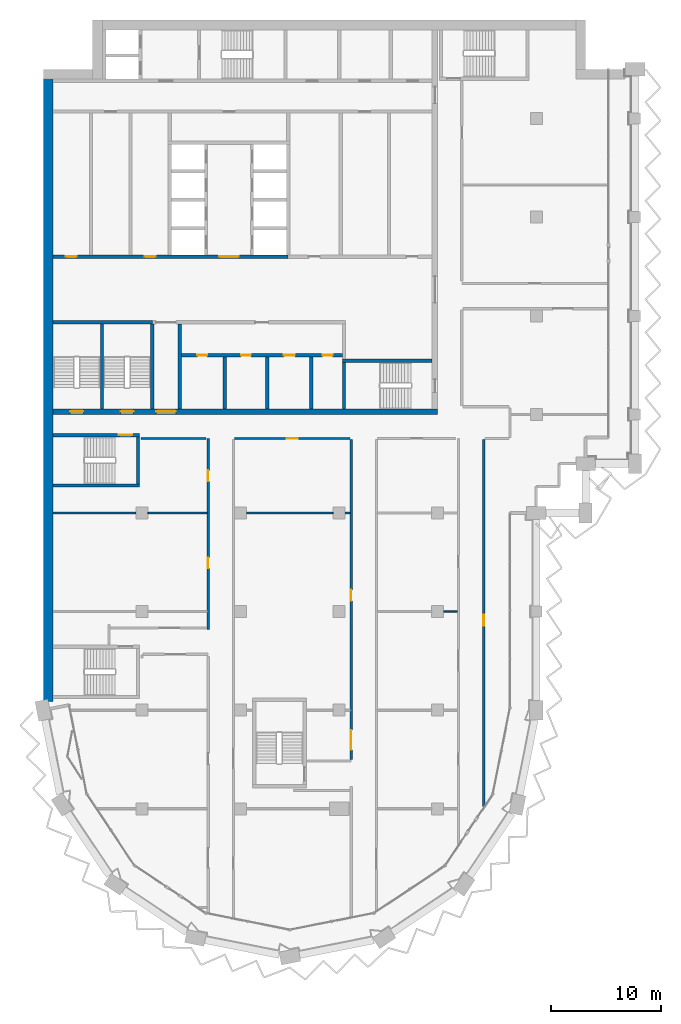
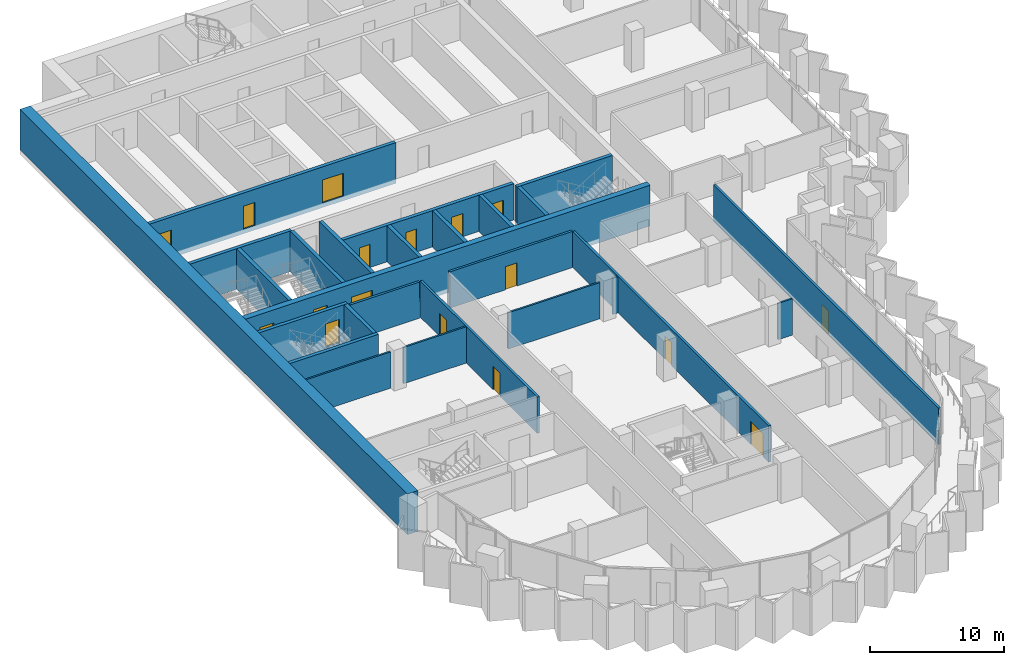
# One storey, part 10 of 19: 26 walls, 17 doors, 17 openings.
"""IFC4 building model written with IfcOpenShell, lengths in metres."""

from ifc_helpers import new_model, si_unit, direction, frame, frame_2d, origin, place, context, subcontext, project, spatial, rectangle, extrude, material, layer, layer_set, type_object, element, fill, save


model = new_model("IFC4")

# Units and contexts
model_context = context("Model", 3, precision=1e-05, world=origin(), true_north=direction((0.0, 1.0)))
body_context = subcontext(model_context, "Body", "Model", "MODEL_VIEW")
ifc_project = project(units=[si_unit("LENGTHUNIT", "METRE"), si_unit("AREAUNIT", "SQUARE_METRE"), si_unit("VOLUMEUNIT", "CUBIC_METRE"), si_unit("PLANEANGLEUNIT", "RADIAN"), si_unit("MASSUNIT", "GRAM", prefix="KILO")], contexts=[model_context])

# Site, building, storey
site_placement = place(None, origin())
site = spatial("IfcSite", under=ifc_project, at=site_placement, CompositionType="ELEMENT")
building_placement = place(site_placement, origin())
building = spatial("IfcBuilding", under=site, at=building_placement, Name="Hunhe Ridgeline Campus", CompositionType="ELEMENT")
storey_placement = place(building_placement, frame((0.0, 0.0, 219.800048828125)))
storey = spatial("IfcBuildingStorey", under=building, at=storey_placement, Name="L56", CompositionType="ELEMENT", Elevation=219.800048828125)

# Wall, openings, doors
ifc_material_1 = material(Name="Masonry concrete blockwork", Category="masonry")
ifc_layer_1 = layer(ifc_material_1, 0.300048828125)
ifc_layer_set_1 = layer_set([ifc_layer_1], Name="Core room partition 300 concrete block")
wall_type_1 = type_object("IfcWallType", Name="Core room partition 300 concrete block", PredefinedType="PARTITIONING", material=ifc_layer_set_1)
wall_1_placement = place(storey_placement, frame((12.60009765625, 68.39990234375, 0.0), z_axis=(0.0, 0.0, 1.0), x_axis=(1.0, 0.0, 0.0)))
wall_1 = element("IfcWall", 1, at=wall_1_placement, inside=storey, type_object=wall_type_1, Name="L56 core partition 9", PredefinedType="PARTITIONING", context=body_context, shape_type="SweptSolid", body=[
    extrude(rectangle(XDim=14.699951171875, YDim=0.300048828125, at=frame_2d((7.35009765625, 0.0))), origin(), (0.0, 0.0, 1.0), 3.300048828125),
])
opening_1_placement = place(wall_1_placement, frame((1.449951171875, 0.0, 0.0)))
opening_1 = element("IfcOpeningElement", 2, at=opening_1_placement, cuts=wall_1, Name="Opening CD8", PredefinedType="OPENING", context=body_context, shape_type="SweptSolid", body=[
    extrude(rectangle(XDim=0.89990234375, YDim=2.10009765625, at=frame_2d((0.449951171875, 1.050048828125))), frame((0.0, 0.14990234375, 0.0), z_axis=(0.0, -1.0, 0.0), x_axis=(1.0, 0.0, 0.0)), (0.0, 0.0, 1.0), 0.300048828125),
])
opening_2_placement = place(wall_1_placement, frame((5.449951171875, 0.0, 0.0)))
opening_2 = element("IfcOpeningElement", 3, at=opening_2_placement, cuts=wall_1, Name="Opening CD9", PredefinedType="OPENING", context=body_context, shape_type="SweptSolid", body=[
    extrude(rectangle(XDim=0.89990234375, YDim=2.10009765625, at=frame_2d((0.449951171875, 1.050048828125))), frame((0.0, 0.14990234375, 0.0), z_axis=(0.0, -1.0, 0.0), x_axis=(1.0, 0.0, 0.0)), (0.0, 0.0, 1.0), 0.300048828125),
])
opening_3_placement = place(wall_1_placement, frame((9.35009765625, 0.0, 0.0)))
opening_3 = element("IfcOpeningElement", 4, at=opening_3_placement, cuts=wall_1, Name="Opening CD10", PredefinedType="OPENING", context=body_context, shape_type="SweptSolid", body=[
    extrude(rectangle(XDim=1.0, YDim=2.10009765625, at=frame_2d((0.5, 1.050048828125))), frame((0.0, 0.14990234375, 0.0), z_axis=(0.0, -1.0, 0.0), x_axis=(1.0, 0.0, 0.0)), (0.0, 0.0, 1.0), 0.300048828125),
])
opening_4_placement = place(wall_1_placement, frame((12.89990234375, 0.0, 0.0)))
opening_4 = element("IfcOpeningElement", 5, at=opening_4_placement, cuts=wall_1, Name="Opening CD11", PredefinedType="OPENING", context=body_context, shape_type="SweptSolid", body=[
    extrude(rectangle(XDim=0.89990234375, YDim=2.10009765625, at=frame_2d((0.449951171875, 1.050048828125))), frame((0.0, 0.14990234375, 0.0), z_axis=(0.0, -1.0, 0.0), x_axis=(1.0, 0.0, 0.0)), (0.0, 0.0, 1.0), 0.300048828125),
])
ifc_material_2 = material(Name="Solid core timber door leaf", Category="wood")
door_type_1 = type_object("IfcDoorType", Name="Timber door 1000x2100", OperationType="SINGLE_SWING_LEFT", PredefinedType="DOOR", material=ifc_material_2)
door_1_placement = place(opening_3_placement, frame((1.0, 0.0, 0.0), z_axis=(0.0, 0.0, 1.0), x_axis=(-1.0, 0.0, 0.0)))
door_1 = element("IfcDoor", 6, at=door_1_placement, inside=storey, type_object=door_type_1, Name="L56 door WC3", OperationType="SINGLE_SWING_LEFT", OverallHeight=2.10009765625, OverallWidth=1.0, PredefinedType="DOOR", context=body_context, shape_type="SweptSolid", body=[
    extrude(rectangle(XDim=1.0, YDim=2.10009765625, at=frame_2d((0.5, 1.050048828125))), frame((0.0, 0.02490234375, 0.0), z_axis=(0.0, -1.0, 0.0), x_axis=(1.0, 0.0, 0.0)), (0.0, 0.0, 1.0), 0.050048828125),
])
fill(opening_3, door_1)
door_type_2 = type_object("IfcDoorType", Name="Timber door 900x2100", OperationType="SINGLE_SWING_LEFT", PredefinedType="DOOR", material=ifc_material_2)
door_2_placement = place(opening_1_placement, frame((0.89990234375, 0.0, 0.0), z_axis=(0.0, 0.0, 1.0), x_axis=(-1.0, 0.0, 0.0)))
door_2 = element("IfcDoor", 7, at=door_2_placement, inside=storey, type_object=door_type_2, Name="L56 door WC1", OperationType="SINGLE_SWING_LEFT", OverallHeight=2.10009765625, OverallWidth=0.89990234375, PredefinedType="DOOR", context=body_context, shape_type="SweptSolid", body=[
    extrude(rectangle(XDim=0.89990234375, YDim=2.10009765625, at=frame_2d((0.449951171875, 1.050048828125))), frame((0.0, 0.02490234375, 0.0), z_axis=(0.0, -1.0, 0.0), x_axis=(1.0, 0.0, 0.0)), (0.0, 0.0, 1.0), 0.050048828125),
])
fill(opening_1, door_2)
door_3_placement = place(opening_2_placement, frame((0.89990234375, 0.0, 0.0), z_axis=(0.0, 0.0, 1.0), x_axis=(-1.0, 0.0, 0.0)))
door_3 = element("IfcDoor", 8, at=door_3_placement, inside=storey, type_object=door_type_2, Name="L56 door WC2", OperationType="SINGLE_SWING_RIGHT", OverallHeight=2.10009765625, OverallWidth=0.89990234375, PredefinedType="DOOR", context=body_context, shape_type="SweptSolid", body=[
    extrude(rectangle(XDim=0.89990234375, YDim=2.10009765625, at=frame_2d((0.449951171875, 1.050048828125))), frame((0.0, 0.02490234375, 0.0), z_axis=(0.0, -1.0, 0.0), x_axis=(1.0, 0.0, 0.0)), (0.0, 0.0, 1.0), 0.050048828125),
])
fill(opening_2, door_3)
door_4_placement = place(opening_4_placement, frame((0.89990234375, 0.0, 0.0), z_axis=(0.0, 0.0, 1.0), x_axis=(-1.0, 0.0, 0.0)))
door_4 = element("IfcDoor", 9, at=door_4_placement, inside=storey, type_object=door_type_2, Name="L56 door WC4", OperationType="SINGLE_SWING_RIGHT", OverallHeight=2.10009765625, OverallWidth=0.89990234375, PredefinedType="DOOR", context=body_context, shape_type="SweptSolid", body=[
    extrude(rectangle(XDim=0.89990234375, YDim=2.10009765625, at=frame_2d((0.449951171875, 1.050048828125))), frame((0.0, 0.02490234375, 0.0), z_axis=(0.0, -1.0, 0.0), x_axis=(1.0, 0.0, 0.0)), (0.0, 0.0, 1.0), 0.050048828125),
])
fill(opening_4, door_4)

# Walls
wall_2_placement = place(storey_placement, frame((12.449951171875, 63.5, 0.0), z_axis=(0.0, 0.0, 1.0), x_axis=(0.0, 1.0, 0.0)))
element("IfcWall", 10, at=wall_2_placement, inside=storey, type_object=wall_type_1, Name="L56 core partition 35", PredefinedType="PARTITIONING", context=body_context, shape_type="SweptSolid", body=[
    extrude(rectangle(XDim=7.75, YDim=0.300048828125, at=frame_2d((3.875, 0.0))), origin(), (0.0, 0.0, 1.0), 3.300048828125),
])
for number, where, z_axis, x_axis, name in (
    (11, (16.550048828125, 63.5, 0.0), (0.0, 0.0, 1.0), (0.0, 1.0, 0.0), "L56 core partition 38"),
    (12, (20.449951171875, 63.5, 0.0), (0.0, 0.0, 1.0), (0.0, 1.0, 0.0), "L56 core partition 41"),
    (13, (24.449951171875, 63.5, 0.0), (0.0, 0.0, 1.0), (0.0, 1.0, 0.0), "L56 core partition 46"),
):
    element("IfcWall", number, at=place(storey_placement, frame(where, z_axis=z_axis, x_axis=x_axis)), inside=storey, type_object=wall_type_1, Name=name, PredefinedType="PARTITIONING", context=body_context, shape_type="SweptSolid", body=[
        extrude(rectangle(XDim=4.75, YDim=0.300048828125, at=frame_2d((2.375, 0.0))), origin(), (0.0, 0.0, 1.0), 3.300048828125),
    ])

# Wall, openings, doors
ifc_material_3 = material(Name="Concrete C60", Category="concrete")
ifc_layer_2 = layer(ifc_material_3, 0.5)
ifc_layer_set_2 = layer_set([ifc_layer_2], Name="Core wall 500 reinforced concrete C60")
wall_type_2 = type_object("IfcWallType", Name="Core wall 500 reinforced concrete C60", PredefinedType="SOLIDWALL", material=ifc_layer_set_2)
wall_3_placement = place(storey_placement, frame((0.89990234375, 63.25, -0.400146484375), z_axis=(0.0, 0.0, 1.0), x_axis=(1.0, 0.0, 0.0)))
wall_3 = element("IfcWall", 14, at=wall_3_placement, inside=storey, type_object=wall_type_2, Name="L56 core wall 7", PredefinedType="SOLIDWALL", context=body_context, shape_type="SweptSolid", body=[
    extrude(rectangle(XDim=35.10009765625, YDim=0.5, at=frame_2d((17.550048828125, 0.0))), origin(), (0.0, 0.0, 1.0), 3.7001953125),
])
opening_5_placement = place(wall_3_placement, frame((9.39990234375, 0.0, 0.39990234375)))
opening_5 = element("IfcOpeningElement", 15, at=opening_5_placement, cuts=wall_3, Name="Opening CD6", PredefinedType="OPENING", context=body_context, shape_type="SweptSolid", body=[
    extrude(rectangle(XDim=1.800048828125, YDim=2.10009765625, at=frame_2d((0.89990234375, 1.050048828125))), frame((0.0, 0.25, 0.0), z_axis=(0.0, -1.0, 0.0), x_axis=(1.0, 0.0, 0.0)), (0.0, 0.0, 1.0), 0.5),
])
opening_6_placement = place(wall_3_placement, frame((1.550048828125, 0.0, 0.39990234375)))
opening_6 = element("IfcOpeningElement", 16, at=opening_6_placement, cuts=wall_3, Name="Opening CD13", PredefinedType="OPENING", context=body_context, shape_type="SweptSolid", body=[
    extrude(rectangle(XDim=1.199951171875, YDim=2.10009765625, at=frame_2d((0.60009765625, 1.050048828125))), frame((0.0, 0.25, 0.0), z_axis=(0.0, -1.0, 0.0), x_axis=(1.0, 0.0, 0.0)), (0.0, 0.0, 1.0), 0.5),
])
opening_7_placement = place(wall_3_placement, frame((6.14990234375, 0.0, 0.39990234375)))
opening_7 = element("IfcOpeningElement", 17, at=opening_7_placement, cuts=wall_3, Name="Opening CD14", PredefinedType="OPENING", context=body_context, shape_type="SweptSolid", body=[
    extrude(rectangle(XDim=1.199951171875, YDim=2.10009765625, at=frame_2d((0.60009765625, 1.050048828125))), frame((0.0, 0.25, 0.0), z_axis=(0.0, -1.0, 0.0), x_axis=(1.0, 0.0, 0.0)), (0.0, 0.0, 1.0), 0.5),
])
ifc_material_4 = material(Name="Anodised aluminium and glass", Category="aluminium")
door_type_3 = type_object("IfcDoorType", Name="Glazed double door 1800x2100", OperationType="DOUBLE_DOOR_SINGLE_SWING", PredefinedType="DOOR", material=ifc_material_4)
door_5_placement = place(opening_5_placement, frame((1.800048828125, 0.0, 0.0), z_axis=(0.0, 0.0, 1.0), x_axis=(-1.0, 0.0, 0.0)))
door_5 = element("IfcDoor", 18, at=door_5_placement, inside=storey, type_object=door_type_3, Name="L56 door VEST-FLOOR", OperationType="DOUBLE_DOOR_SINGLE_SWING", OverallHeight=2.10009765625, OverallWidth=1.800048828125, PredefinedType="DOOR", context=body_context, shape_type="SweptSolid", body=[
    extrude(rectangle(XDim=1.800048828125, YDim=2.10009765625, at=frame_2d((0.89990234375, 1.050048828125))), frame((0.0, 0.02490234375, 0.0), z_axis=(0.0, -1.0, 0.0), x_axis=(1.0, 0.0, 0.0)), (0.0, 0.0, 1.0), 0.050048828125),
])
fill(opening_5, door_5)
ifc_material_5 = material(Name="Hollow metal fire door leaf")
door_type_4 = type_object("IfcDoorType", Name="Stair door 1200x2100 FD60", OperationType="SINGLE_SWING_LEFT", PredefinedType="DOOR", material=ifc_material_5)
door_6_placement = place(opening_6_placement, frame((1.199951171875, 0.0, 0.0), z_axis=(0.0, 0.0, 1.0), x_axis=(-1.0, 0.0, 0.0)))
door_6 = element("IfcDoor", 19, at=door_6_placement, inside=storey, type_object=door_type_4, Name="L56 door S3", OperationType="SINGLE_SWING_LEFT", OverallHeight=2.10009765625, OverallWidth=1.199951171875, PredefinedType="DOOR", context=body_context, shape_type="SweptSolid", body=[
    extrude(rectangle(XDim=1.199951171875, YDim=2.10009765625, at=frame_2d((0.60009765625, 1.050048828125))), frame((0.0, 0.02490234375, 0.0), z_axis=(0.0, -1.0, 0.0), x_axis=(1.0, 0.0, 0.0)), (0.0, 0.0, 1.0), 0.050048828125),
])
fill(opening_6, door_6)
door_7_placement = place(opening_7_placement, frame((1.199951171875, 0.0, 0.0), z_axis=(0.0, 0.0, 1.0), x_axis=(-1.0, 0.0, 0.0)))
door_7 = element("IfcDoor", 20, at=door_7_placement, inside=storey, type_object=door_type_4, Name="L56 door S4", OperationType="SINGLE_SWING_RIGHT", OverallHeight=2.10009765625, OverallWidth=1.199951171875, PredefinedType="DOOR", context=body_context, shape_type="SweptSolid", body=[
    extrude(rectangle(XDim=1.199951171875, YDim=2.10009765625, at=frame_2d((0.60009765625, 1.050048828125))), frame((0.0, 0.02490234375, 0.0), z_axis=(0.0, -1.0, 0.0), x_axis=(1.0, 0.0, 0.0)), (0.0, 0.0, 1.0), 0.050048828125),
])
fill(opening_7, door_7)

# Wall
ifc_material_6 = material(Name="Gypsum board partition")
ifc_layer_3 = layer(ifc_material_6, 0.199951171875)
ifc_layer_set_3 = layer_set([ifc_layer_3], Name="Corridor partition 200 gypsum board on steel studs")
wall_type_3 = type_object("IfcWallType", Name="Corridor partition 200 gypsum board on steel studs", PredefinedType="PARTITIONING", material=ifc_layer_set_3)
wall_4_placement = place(storey_placement, frame((14.850341796875, 60.800048828125, 0.0), z_axis=(0.0, 0.0, 1.0), x_axis=(-1.0, 0.0, 0.0)))
element("IfcWall", 21, at=wall_4_placement, inside=storey, type_object=wall_type_3, Name="F-L56-wall-028", PredefinedType="PARTITIONING", context=body_context, shape_type="SweptSolid", body=[
    extrude(rectangle(XDim=5.9462890625, YDim=0.199951171875, at=frame_2d((2.97314453125, 0.0))), origin(), (0.0, 0.0, 1.0), 3.300048828125),
])

# Wall, opening, door
wall_5_placement = place(storey_placement, frame((28.0, 60.800048828125, 0.0), z_axis=(0.0, 0.0, 1.0), x_axis=(-1.0, 0.0, 0.0)))
wall_5 = element("IfcWall", 22, at=wall_5_placement, inside=storey, type_object=wall_type_3, Name="F-L56-wall-029", PredefinedType="PARTITIONING", context=body_context, shape_type="SweptSolid", body=[
    extrude(rectangle(XDim=10.550048828125, YDim=0.199951171875, at=frame_2d((5.27490234375, 0.0))), origin(), (0.0, 0.0, 1.0), 3.300048828125),
])
opening_8_placement = place(wall_5_placement, frame((4.77490234375, 0.0, 0.0)))
opening_8 = element("IfcOpeningElement", 23, at=opening_8_placement, cuts=wall_5, Name="Opening RD1-016", PredefinedType="OPENING", context=body_context, shape_type="SweptSolid", body=[
    extrude(rectangle(XDim=1.0, YDim=2.10009765625, at=frame_2d((0.5, 1.050048828125))), frame((0.0, 0.10009765625, 0.0), z_axis=(0.0, -1.0, 0.0), x_axis=(1.0, 0.0, 0.0)), (0.0, 0.0, 1.0), 0.199951171875),
])
ifc_material_7 = material(Name="Timber door leaf", Category="wood")
door_type_5 = type_object("IfcDoorType", Name="Single fire door 1000x2100 timber FD60", OperationType="NOTDEFINED", PredefinedType="DOOR", material=ifc_material_7)
door_8_placement = place(opening_8_placement, origin())
door_8 = element("IfcDoor", 24, at=door_8_placement, inside=storey, type_object=door_type_5, Name="F-L56-door-016", OperationType="SINGLE_SWING_LEFT", OverallHeight=2.10009765625, OverallWidth=1.0, PredefinedType="DOOR", context=body_context, shape_type="SweptSolid", body=[
    extrude(rectangle(XDim=1.0, YDim=2.10009765625, at=frame_2d((0.5, 1.050048828125))), frame((0.0, 0.02490234375, 0.0), z_axis=(0.0, -1.0, 0.0), x_axis=(1.0, 0.0, 0.0)), (0.0, 0.0, 1.0), 0.050048828125),
])
fill(opening_8, door_8)

# Wall, openings, doors
wall_6_placement = place(storey_placement, frame((15.050048828125, 43.37451171875, 0.0), z_axis=(0.0, 0.0, 1.0), x_axis=(0.0, 1.0, 0.0)))
wall_6 = element("IfcWall", 25, at=wall_6_placement, inside=storey, type_object=wall_type_3, Name="F-L56-wall-041", PredefinedType="PARTITIONING", context=body_context, shape_type="SweptSolid", body=[
    extrude(rectangle(XDim=17.425537109375, YDim=0.199951171875, at=frame_2d((8.712890625, 0.0))), origin(), (0.0, 0.0, 1.0), 3.300048828125),
])
opening_9_placement = place(wall_6_placement, frame((5.56103515625, 0.0, 0.0)))
opening_9 = element("IfcOpeningElement", 26, at=opening_9_placement, cuts=wall_6, Name="Opening RD1-013", PredefinedType="OPENING", context=body_context, shape_type="SweptSolid", body=[
    extrude(rectangle(XDim=1.0, YDim=2.10009765625, at=frame_2d((0.5, 1.050048828125))), frame((0.0, 0.10009765625, 0.0), z_axis=(0.0, -1.0, 0.0), x_axis=(1.0, 0.0, 0.0)), (0.0, 0.0, 1.0), 0.199951171875),
])
opening_10_placement = place(wall_6_placement, frame((13.51611328125, 0.0, 0.0)))
opening_10 = element("IfcOpeningElement", 27, at=opening_10_placement, cuts=wall_6, Name="Opening RD1-015", PredefinedType="OPENING", context=body_context, shape_type="SweptSolid", body=[
    extrude(rectangle(XDim=1.0, YDim=2.10009765625, at=frame_2d((0.5, 1.050048828125))), frame((0.0, 0.10009765625, 0.0), z_axis=(0.0, -1.0, 0.0), x_axis=(1.0, 0.0, 0.0)), (0.0, 0.0, 1.0), 0.199951171875),
])
door_9_placement = place(opening_9_placement, origin())
door_9 = element("IfcDoor", 28, at=door_9_placement, inside=storey, type_object=door_type_5, Name="F-L56-door-013", OperationType="SINGLE_SWING_RIGHT", OverallHeight=2.10009765625, OverallWidth=1.0, PredefinedType="DOOR", context=body_context, shape_type="SweptSolid", body=[
    extrude(rectangle(XDim=1.0, YDim=2.10009765625, at=frame_2d((0.5, 1.050048828125))), frame((0.0, 0.02490234375, 0.0), z_axis=(0.0, -1.0, 0.0), x_axis=(1.0, 0.0, 0.0)), (0.0, 0.0, 1.0), 0.050048828125),
])
fill(opening_9, door_9)
door_10_placement = place(opening_10_placement, origin())
door_10 = element("IfcDoor", 29, at=door_10_placement, inside=storey, type_object=door_type_5, Name="F-L56-door-015", OperationType="SINGLE_SWING_LEFT", OverallHeight=2.10009765625, OverallWidth=1.0, PredefinedType="DOOR", context=body_context, shape_type="SweptSolid", body=[
    extrude(rectangle(XDim=1.0, YDim=2.10009765625, at=frame_2d((0.5, 1.050048828125))), frame((0.0, 0.02490234375, 0.0), z_axis=(0.0, -1.0, 0.0), x_axis=(1.0, 0.0, 0.0)), (0.0, 0.0, 1.0), 0.050048828125),
])
fill(opening_10, door_10)

wall_7_placement = place(storey_placement, frame((28.10009765625, 31.512451171875, 0.0), z_axis=(0.0, 0.0, 1.0), x_axis=(0.0, 1.0, 0.0)))
wall_7 = element("IfcWall", 30, at=wall_7_placement, inside=storey, type_object=wall_type_3, Name="F-L56-wall-044", PredefinedType="PARTITIONING", context=body_context, shape_type="SweptSolid", body=[
    extrude(rectangle(XDim=29.1875, YDim=0.199951171875, at=frame_2d((14.59375, 0.0))), origin(), (0.0, 0.0, 1.0), 3.300048828125),
])
opening_11_placement = place(wall_7_placement, frame((0.864501953125, 0.0, 0.0)))
opening_11 = element("IfcOpeningElement", 31, at=opening_11_placement, cuts=wall_7, Name="Opening RD2-007", PredefinedType="OPENING", context=body_context, shape_type="SweptSolid", body=[
    extrude(rectangle(XDim=1.800048828125, YDim=2.10009765625, at=frame_2d((0.89990234375, 1.050048828125))), frame((0.0, 0.10009765625, 0.0), z_axis=(0.0, -1.0, 0.0), x_axis=(1.0, 0.0, 0.0)), (0.0, 0.0, 1.0), 0.199951171875),
])
opening_12_placement = place(wall_7_placement, frame((14.46142578125, 0.0, 0.0)))
opening_12 = element("IfcOpeningElement", 32, at=opening_12_placement, cuts=wall_7, Name="Opening RD1-012", PredefinedType="OPENING", context=body_context, shape_type="SweptSolid", body=[
    extrude(rectangle(XDim=1.0, YDim=2.10009765625, at=frame_2d((0.5, 1.050048828125))), frame((0.0, 0.10009765625, 0.0), z_axis=(0.0, -1.0, 0.0), x_axis=(1.0, 0.0, 0.0)), (0.0, 0.0, 1.0), 0.199951171875),
])
door_type_6 = type_object("IfcDoorType", Name="Double fire door 1800x2100 timber FD60", OperationType="DOUBLE_DOOR_SINGLE_SWING", PredefinedType="DOOR", material=ifc_material_7)
door_11_placement = place(opening_11_placement, origin())
door_11 = element("IfcDoor", 33, at=door_11_placement, inside=storey, type_object=door_type_6, Name="F-L56-door-007", OperationType="DOUBLE_DOOR_SINGLE_SWING", OverallHeight=2.10009765625, OverallWidth=1.800048828125, PredefinedType="DOOR", context=body_context, shape_type="SweptSolid", body=[
    extrude(rectangle(XDim=1.800048828125, YDim=2.10009765625, at=frame_2d((0.89990234375, 1.050048828125))), frame((0.0, 0.02490234375, 0.0), z_axis=(0.0, -1.0, 0.0), x_axis=(1.0, 0.0, 0.0)), (0.0, 0.0, 1.0), 0.050048828125),
])
fill(opening_11, door_11)
door_12_placement = place(opening_12_placement, origin())
door_12 = element("IfcDoor", 34, at=door_12_placement, inside=storey, type_object=door_type_5, Name="F-L56-door-012", OperationType="SINGLE_SWING_RIGHT", OverallHeight=2.10009765625, OverallWidth=1.0, PredefinedType="DOOR", context=body_context, shape_type="SweptSolid", body=[
    extrude(rectangle(XDim=1.0, YDim=2.10009765625, at=frame_2d((0.5, 1.050048828125))), frame((0.0, 0.02490234375, 0.0), z_axis=(0.0, -1.0, 0.0), x_axis=(1.0, 0.0, 0.0)), (0.0, 0.0, 1.0), 0.050048828125),
])
fill(opening_12, door_12)

# Wall, opening, door
wall_8_placement = place(storey_placement, frame((40.199951171875, 60.699951171875, 0.0), z_axis=(0.0, 0.0, 1.0), x_axis=(0.0, -1.0, 0.0)))
wall_8 = element("IfcWall", 35, at=wall_8_placement, inside=storey, type_object=wall_type_3, Name="F-L56-wall-049", PredefinedType="PARTITIONING", context=body_context, shape_type="SweptSolid", body=[
    extrude(rectangle(XDim=33.511962890625, YDim=0.199951171875, at=frame_2d((16.755859375, 0.0))), origin(), (0.0, 0.0, 1.0), 3.300048828125),
])
opening_13_placement = place(wall_8_placement, frame((16.005859375, 0.0, 0.0)))
opening_13 = element("IfcOpeningElement", 36, at=opening_13_placement, cuts=wall_8, Name="Opening RD1-011", PredefinedType="OPENING", context=body_context, shape_type="SweptSolid", body=[
    extrude(rectangle(XDim=1.0, YDim=2.10009765625, at=frame_2d((0.5, 1.050048828125))), frame((0.0, 0.10009765625, 0.0), z_axis=(0.0, -1.0, 0.0), x_axis=(1.0, 0.0, 0.0)), (0.0, 0.0, 1.0), 0.199951171875),
])
door_13_placement = place(opening_13_placement, origin())
door_13 = element("IfcDoor", 37, at=door_13_placement, inside=storey, type_object=door_type_5, Name="F-L56-door-011", OperationType="SINGLE_SWING_RIGHT", OverallHeight=2.10009765625, OverallWidth=1.0, PredefinedType="DOOR", context=body_context, shape_type="SweptSolid", body=[
    extrude(rectangle(XDim=1.0, YDim=2.10009765625, at=frame_2d((0.5, 1.050048828125))), frame((0.0, 0.02490234375, 0.0), z_axis=(0.0, -1.0, 0.0), x_axis=(1.0, 0.0, 0.0)), (0.0, 0.0, 1.0), 0.050048828125),
])
fill(opening_13, door_13)

# Walls
ifc_layer_4 = layer(ifc_material_6, 0.14990234375)
ifc_layer_set_4 = layer_set([ifc_layer_4], Name="Room partition 150 gypsum board on steel studs")
wall_type_4 = type_object("IfcWallType", Name="Room partition 150 gypsum board on steel studs", PredefinedType="PARTITIONING", material=ifc_layer_set_4)
wall_9_placement = place(storey_placement, frame((36.550048828125, 45.0, 0.0), z_axis=(0.0, 0.0, 1.0), x_axis=(1.0, 0.0, 0.0)))
element("IfcWall", 38, at=wall_9_placement, inside=storey, type_object=wall_type_4, Name="F-L56-wall-021", PredefinedType="PARTITIONING", context=body_context, shape_type="SweptSolid", body=[
    extrude(rectangle(XDim=1.25, YDim=0.14990234375, at=frame_2d((0.625, 0.0))), origin(), (0.0, 0.0, 1.0), 3.300048828125),
])
wall_10_placement = place(storey_placement, frame((0.919921875, 54.0, 0.0), z_axis=(0.0, 0.0, 1.0), x_axis=(1.0, 0.0, 0.0)))
element("IfcWall", 39, at=wall_10_placement, inside=storey, type_object=wall_type_4, Name="F-L56-wall-022", PredefinedType="PARTITIONING", context=body_context, shape_type="SweptSolid", body=[
    extrude(rectangle(XDim=7.530029296875, YDim=0.14990234375, at=frame_2d((3.76513671875, 0.0))), origin(), (0.0, 0.0, 1.0), 3.300048828125),
])
wall_11_placement = place(storey_placement, frame((9.550048828125, 54.0, 0.0), z_axis=(0.0, 0.0, 1.0), x_axis=(1.0, 0.0, 0.0)))
element("IfcWall", 40, at=wall_11_placement, inside=storey, type_object=wall_type_4, Name="F-L56-wall-023", PredefinedType="PARTITIONING", context=body_context, shape_type="SweptSolid", body=[
    extrude(rectangle(XDim=5.39990234375, YDim=0.14990234375, at=frame_2d((2.699951171875, 0.0))), origin(), (0.0, 0.0, 1.0), 3.300048828125),
])
wall_12_placement = place(storey_placement, frame((18.550048828125, 54.0, 0.0), z_axis=(0.0, 0.0, 1.0), x_axis=(1.0, 0.0, 0.0)))
element("IfcWall", 41, at=wall_12_placement, inside=storey, type_object=wall_type_4, Name="F-L56-wall-024", PredefinedType="PARTITIONING", context=body_context, shape_type="SweptSolid", body=[
    extrude(rectangle(XDim=7.89990234375, YDim=0.14990234375, at=frame_2d((3.949951171875, 0.0))), origin(), (0.0, 0.0, 1.0), 3.300048828125),
])
wall_13_placement = place(storey_placement, frame((27.550048828125, 54.0, 0.0), z_axis=(0.0, 0.0, 1.0), x_axis=(1.0, 0.0, 0.0)))
element("IfcWall", 42, at=wall_13_placement, inside=storey, type_object=wall_type_4, Name="F-L56-wall-025", PredefinedType="PARTITIONING", context=body_context, shape_type="SweptSolid", body=[
    extrude(rectangle(XDim=0.449951171875, YDim=0.14990234375, at=frame_2d((0.22509765625, 0.0))), origin(), (0.0, 0.0, 1.0), 3.300048828125),
])

# Wall, openings, doors
ifc_layer_5 = layer(ifc_material_3, 0.300048828125)
ifc_layer_set_5 = layer_set([ifc_layer_5], Name="Shaft wall 300 reinforced concrete C60")
wall_type_5 = type_object("IfcWallType", Name="Shaft wall 300 reinforced concrete C60", PredefinedType="SOLIDWALL", material=ifc_layer_set_5)
wall_14_placement = place(storey_placement, frame((0.89990234375, 77.39990234375, -0.400146484375), z_axis=(0.0, 0.0, 1.0), x_axis=(1.0, 0.0, 0.0)))
wall_14 = element("IfcWall", 43, at=wall_14_placement, inside=storey, type_object=wall_type_5, Name="L56 core wall 12", PredefinedType="SOLIDWALL", context=body_context, shape_type="SweptSolid", body=[
    extrude(rectangle(XDim=21.4501953125, YDim=0.300048828125, at=frame_2d((10.72509765625, 0.0))), origin(), (0.0, 0.0, 1.0), 3.7001953125),
])
opening_14_placement = place(wall_14_placement, frame((15.14990234375, 0.0, 0.39990234375)))
opening_14 = element("IfcOpeningElement", 44, at=opening_14_placement, cuts=wall_14, Name="Opening CD38", PredefinedType="OPENING", context=body_context, shape_type="SweptSolid", body=[
    extrude(rectangle(XDim=1.800048828125, YDim=2.10009765625, at=frame_2d((0.89990234375, 1.050048828125))), frame((0.0, 0.14990234375, 0.0), z_axis=(0.0, -1.0, 0.0), x_axis=(1.0, 0.0, 0.0)), (0.0, 0.0, 1.0), 0.300048828125),
])
opening_15_placement = place(wall_14_placement, frame((1.14990234375, 0.0, 0.39990234375)))
opening_15 = element("IfcOpeningElement", 45, at=opening_15_placement, cuts=wall_14, Name="Opening CD39", PredefinedType="OPENING", context=body_context, shape_type="SweptSolid", body=[
    extrude(rectangle(XDim=1.0, YDim=2.10009765625, at=frame_2d((0.5, 1.050048828125))), frame((0.0, 0.14990234375, 0.0), z_axis=(0.0, -1.0, 0.0), x_axis=(1.0, 0.0, 0.0)), (0.0, 0.0, 1.0), 0.300048828125),
])
opening_16_placement = place(wall_14_placement, frame((8.35009765625, 0.0, 0.39990234375)))
opening_16 = element("IfcOpeningElement", 46, at=opening_16_placement, cuts=wall_14, Name="Opening CD41", PredefinedType="OPENING", context=body_context, shape_type="SweptSolid", body=[
    extrude(rectangle(XDim=1.0, YDim=2.10009765625, at=frame_2d((0.5, 1.050048828125))), frame((0.0, 0.14990234375, 0.0), z_axis=(0.0, -1.0, 0.0), x_axis=(1.0, 0.0, 0.0)), (0.0, 0.0, 1.0), 0.300048828125),
])
door_type_7 = type_object("IfcDoorType", Name="Lobby door 1800x2100 FD60", OperationType="SINGLE_SWING_LEFT", PredefinedType="DOOR", material=ifc_material_5)
door_14_placement = place(opening_14_placement, frame((1.800048828125, 0.0, 0.0), z_axis=(0.0, 0.0, 1.0), x_axis=(-1.0, 0.0, 0.0)))
door_14 = element("IfcDoor", 47, at=door_14_placement, inside=storey, type_object=door_type_7, Name="L56 door LOB-HR", OperationType="SINGLE_SWING_RIGHT", OverallHeight=2.10009765625, OverallWidth=1.800048828125, PredefinedType="DOOR", context=body_context, shape_type="SweptSolid", body=[
    extrude(rectangle(XDim=1.800048828125, YDim=2.10009765625, at=frame_2d((0.89990234375, 1.050048828125))), frame((0.0, 0.02490234375, 0.0), z_axis=(0.0, -1.0, 0.0), x_axis=(1.0, 0.0, 0.0)), (0.0, 0.0, 1.0), 0.050048828125),
])
fill(opening_14, door_14)
door_15_placement = place(opening_15_placement, origin())
door_15 = element("IfcDoor", 48, at=door_15_placement, inside=storey, type_object=door_type_1, Name="L56 door VD-LR0", OperationType="SINGLE_SWING_LEFT", OverallHeight=2.10009765625, OverallWidth=1.0, PredefinedType="DOOR", context=body_context, shape_type="SweptSolid", body=[
    extrude(rectangle(XDim=1.0, YDim=2.10009765625, at=frame_2d((0.5, 1.050048828125))), frame((0.0, 0.02490234375, 0.0), z_axis=(0.0, -1.0, 0.0), x_axis=(1.0, 0.0, 0.0)), (0.0, 0.0, 1.0), 0.050048828125),
])
fill(opening_15, door_15)
door_16_placement = place(opening_16_placement, origin())
door_16 = element("IfcDoor", 49, at=door_16_placement, inside=storey, type_object=door_type_1, Name="L56 door VD-LR2", OperationType="SINGLE_SWING_LEFT", OverallHeight=2.10009765625, OverallWidth=1.0, PredefinedType="DOOR", context=body_context, shape_type="SweptSolid", body=[
    extrude(rectangle(XDim=1.0, YDim=2.10009765625, at=frame_2d((0.5, 1.050048828125))), frame((0.0, 0.02490234375, 0.0), z_axis=(0.0, -1.0, 0.0), x_axis=(1.0, 0.0, 0.0)), (0.0, 0.0, 1.0), 0.050048828125),
])
fill(opening_16, door_16)

# Walls
ifc_layer_6 = layer(ifc_material_3, 0.89990234375)
ifc_layer_set_6 = layer_set([ifc_layer_6], Name="Spine wall 900 Concrete C60")
wall_type_6 = type_object("IfcWallType", Name="Spine wall 900 Concrete C60", PredefinedType="SHEAR", material=ifc_layer_set_6)
wall_15_placement = place(storey_placement, frame((0.449951171875, 94.5, 0.0), z_axis=(0.0, 0.0, 1.0), x_axis=(0.0, -1.0, 0.0)))
element("IfcWall", 50, at=wall_15_placement, inside=storey, type_object=wall_type_6, Name="Spine wall SW3-1 L56", PredefinedType="SHEAR", context=body_context, shape_type="SweptSolid", body=[
    extrude(rectangle(XDim=57.686767578125, YDim=0.89990234375, at=frame_2d((28.84326171875, 0.0))), origin(), (0.0, 0.0, 1.0), 3.699951171875),
])
ifc_layer_7 = layer(ifc_material_3, 0.300048828125)
ifc_layer_set_7 = layer_set([ifc_layer_7], Name="Stair wall 300 reinforced concrete C60")
wall_type_7 = type_object("IfcWallType", Name="Stair wall 300 reinforced concrete C60", PredefinedType="SOLIDWALL", material=ifc_layer_set_7)
wall_16_placement = place(storey_placement, frame((0.89990234375, 56.5, -0.400146484375), z_axis=(0.0, 0.0, 1.0), x_axis=(1.0, 0.0, 0.0)))
element("IfcWall", 51, at=wall_16_placement, inside=storey, type_object=wall_type_7, Name="L56 core wall 5", PredefinedType="SOLIDWALL", context=body_context, shape_type="SweptSolid", body=[
    extrude(rectangle(XDim=7.900146484375, YDim=0.300048828125, at=frame_2d((3.9501953125, 0.0))), origin(), (0.0, 0.0, 1.0), 3.7001953125),
])

# Wall, opening, door
wall_17_placement = place(storey_placement, frame((0.89990234375, 61.10009765625, -0.400146484375), z_axis=(0.0, 0.0, 1.0), x_axis=(1.0, 0.0, 0.0)))
wall_17 = element("IfcWall", 52, at=wall_17_placement, inside=storey, type_object=wall_type_7, Name="L56 core wall 6", PredefinedType="SOLIDWALL", context=body_context, shape_type="SweptSolid", body=[
    extrude(rectangle(XDim=7.900146484375, YDim=0.300048828125, at=frame_2d((3.9501953125, 0.0))), origin(), (0.0, 0.0, 1.0), 3.7001953125),
])
opening_17_placement = place(wall_17_placement, frame((6.0, 0.0, 0.39990234375)))
opening_17 = element("IfcOpeningElement", 53, at=opening_17_placement, cuts=wall_17, Name="Opening CD22", PredefinedType="OPENING", context=body_context, shape_type="SweptSolid", body=[
    extrude(rectangle(XDim=1.199951171875, YDim=2.10009765625, at=frame_2d((0.60009765625, 1.050048828125))), frame((0.0, 0.14990234375, 0.0), z_axis=(0.0, -1.0, 0.0), x_axis=(1.0, 0.0, 0.0)), (0.0, 0.0, 1.0), 0.300048828125),
])
door_17_placement = place(opening_17_placement, origin())
door_17 = element("IfcDoor", 54, at=door_17_placement, inside=storey, type_object=door_type_4, Name="L56 door W2", OperationType="SINGLE_SWING_RIGHT", OverallHeight=2.10009765625, OverallWidth=1.199951171875, PredefinedType="DOOR", context=body_context, shape_type="SweptSolid", body=[
    extrude(rectangle(XDim=1.199951171875, YDim=2.10009765625, at=frame_2d((0.60009765625, 1.050048828125))), frame((0.0, 0.02490234375, 0.0), z_axis=(0.0, -1.0, 0.0), x_axis=(1.0, 0.0, 0.0)), (0.0, 0.0, 1.0), 0.050048828125),
])
fill(opening_17, door_17)

# Walls
wall_18_placement = place(storey_placement, frame((27.300048828125, 67.89990234375, -0.400146484375), z_axis=(0.0, 0.0, 1.0), x_axis=(1.0, 0.0, 0.0)))
element("IfcWall", 55, at=wall_18_placement, inside=storey, type_object=wall_type_7, Name="L56 core wall 8", PredefinedType="SOLIDWALL", context=body_context, shape_type="SweptSolid", body=[
    extrude(rectangle(XDim=8.199951171875, YDim=0.300048828125, at=frame_2d((4.10009765625, 0.0))), origin(), (0.0, 0.0, 1.0), 3.7001953125),
])
wall_19_placement = place(storey_placement, frame((0.89990234375, 71.39990234375, -0.400146484375), z_axis=(0.0, 0.0, 1.0), x_axis=(1.0, 0.0, 0.0)))
element("IfcWall", 56, at=wall_19_placement, inside=storey, type_object=wall_type_7, Name="L56 core wall 10", PredefinedType="SOLIDWALL", context=body_context, shape_type="SweptSolid", body=[
    extrude(rectangle(XDim=9.050048828125, YDim=0.300048828125, at=frame_2d((4.52490234375, 0.0))), origin(), (0.0, 0.0, 1.0), 3.7001953125),
])
wall_20_placement = place(storey_placement, frame((5.35009765625, 63.5, -0.400146484375), z_axis=(0.0, 0.0, 1.0), x_axis=(0.0, 1.0, 0.0)))
element("IfcWall", 57, at=wall_20_placement, inside=storey, type_object=wall_type_7, Name="L56 core wall 26", PredefinedType="SOLIDWALL", context=body_context, shape_type="SweptSolid", body=[
    extrude(rectangle(XDim=7.75, YDim=0.300048828125, at=frame_2d((3.875, 0.0))), origin(), (0.0, 0.0, 1.0), 3.7001953125),
])
wall_21_placement = place(storey_placement, frame((8.64990234375, 56.64990234375, -0.400146484375), z_axis=(0.0, 0.0, 1.0), x_axis=(0.0, 1.0, 0.0)))
element("IfcWall", 58, at=wall_21_placement, inside=storey, type_object=wall_type_7, Name="L56 core wall 30", PredefinedType="SOLIDWALL", context=body_context, shape_type="SweptSolid", body=[
    extrude(rectangle(XDim=4.300048828125, YDim=0.300048828125, at=frame_2d((2.14990234375, 0.0))), origin(), (0.0, 0.0, 1.0), 3.7001953125),
])
wall_22_placement = place(storey_placement, frame((9.949951171875, 63.5, -0.400146484375), z_axis=(0.0, 0.0, 1.0), x_axis=(0.0, 1.0, 0.0)))
element("IfcWall", 59, at=wall_22_placement, inside=storey, type_object=wall_type_7, Name="L56 core wall 32", PredefinedType="SOLIDWALL", context=body_context, shape_type="SweptSolid", body=[
    extrude(rectangle(XDim=7.75, YDim=0.300048828125, at=frame_2d((3.875, 0.0))), origin(), (0.0, 0.0, 1.0), 3.7001953125),
])
wall_23_placement = place(storey_placement, frame((27.449951171875, 63.5, -0.400146484375), z_axis=(0.0, 0.0, 1.0), x_axis=(0.0, 1.0, 0.0)))
element("IfcWall", 60, at=wall_23_placement, inside=storey, type_object=wall_type_7, Name="L56 core wall 49", PredefinedType="SOLIDWALL", context=body_context, shape_type="SweptSolid", body=[
    extrude(rectangle(XDim=4.25, YDim=0.300048828125, at=frame_2d((2.125, 0.0))), origin(), (0.0, 0.0, 1.0), 3.7001953125),
])

save(model, "model.ifc")
